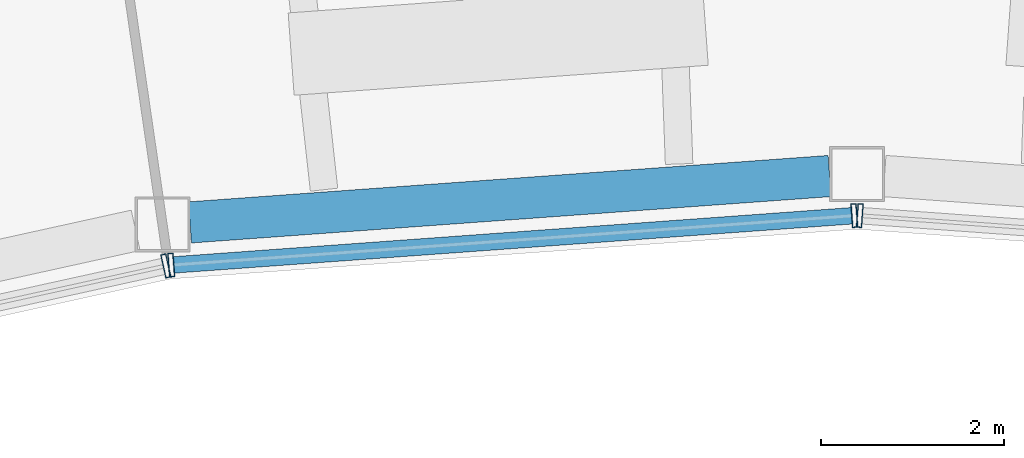
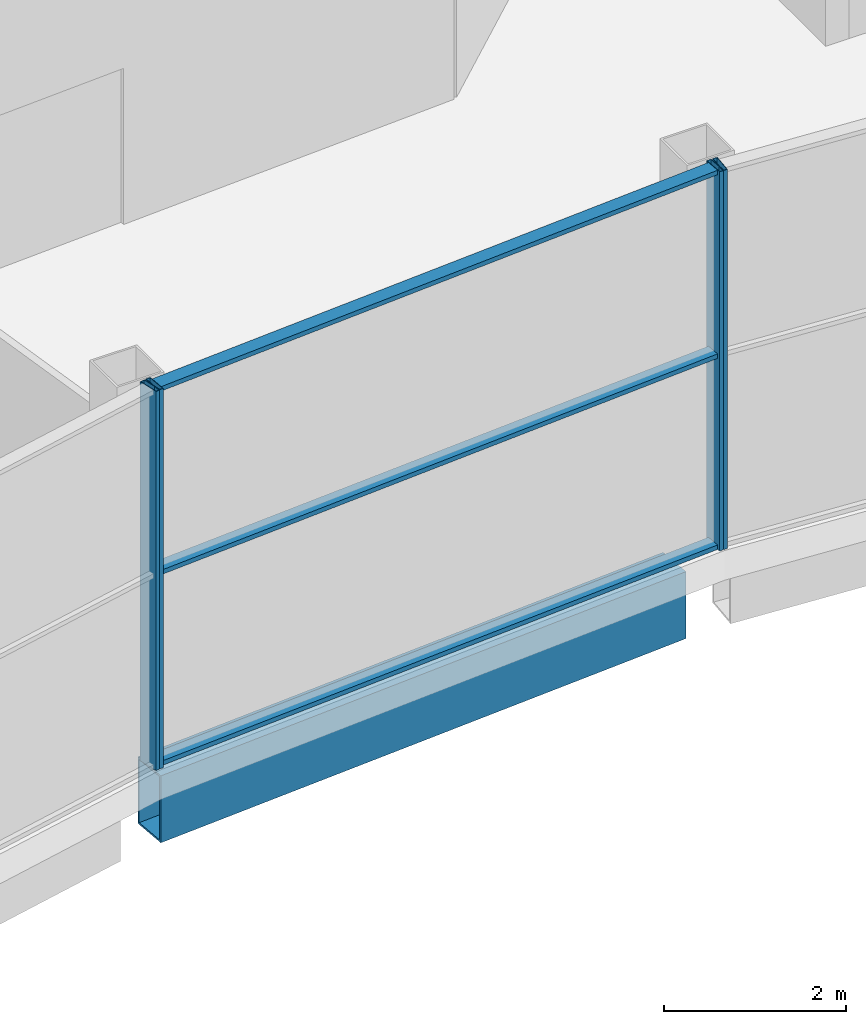
# One storey, part 13 of 43: 7 members, 1 beam, 3 elements without a shape of their own.
"""IFC4 building model written with IfcOpenShell, lengths in metres."""

from ifc_helpers import new_model, si_unit, direction, frame, origin, origin_2d, place, context, subcontext, project, spatial, hollow_rectangle, extrude, material, layer, layer_set, material_profile, profile_set, type_object, element, aggregate, save


model = new_model("IFC4")

# Units and contexts
model_context = context("Model", 3, precision=1e-05, world=origin(), true_north=direction((0.0, 1.0)))
body_context = subcontext(model_context, "Body", "Model", "MODEL_VIEW")
ifc_project = project(units=[si_unit("LENGTHUNIT", "METRE"), si_unit("AREAUNIT", "SQUARE_METRE"), si_unit("VOLUMEUNIT", "CUBIC_METRE"), si_unit("PLANEANGLEUNIT", "RADIAN"), si_unit("MASSUNIT", "GRAM", prefix="KILO")], contexts=[model_context])

# Site, building, storey
site_placement = place(None, origin())
site = spatial("IfcSite", under=ifc_project, at=site_placement, CompositionType="ELEMENT")
building_placement = place(site_placement, origin())
building = spatial("IfcBuilding", under=site, at=building_placement, Name="Tuul Gate Civic Tower", CompositionType="ELEMENT")
storey_placement = place(building_placement, frame((0.0, 0.0, 349.10009765625)))
storey = spatial("IfcBuildingStorey", under=building, at=storey_placement, Name="Observation level 1", CompositionType="ELEMENT", Elevation=349.10009765625)

# Curtain wall, member
ifc_material_1 = material(Name="Stainless steel", Category="steel")
ifc_layer = layer(ifc_material_1, 0.199951171875)
ifc_layer_set = layer_set([ifc_layer], Name="Stainless steel")
curtain_wall_type = type_object("IfcCurtainWallType", Name="Curtain wall CW4", PredefinedType="NOTDEFINED", material=ifc_layer_set)
curtain_wall_1_placement = place(storey_placement, origin())
curtain_wall_1 = element("IfcCurtainWall", 1, at=curtain_wall_1_placement, inside=storey, type_object=curtain_wall_type, Name="Curtain wall CW4", PredefinedType="NOTDEFINED")
ifc_material_2 = material(Name="Stainless steel", Category="steel")
ifc_material_profile_1 = material_profile(ifc_material_2, hollow_rectangle(XDim=0.260009765625, YDim=0.06005859375, WallThickness=0.006103515625, at=origin_2d()), Name="CW4 mullion")
ifc_profile_set_1 = profile_set([ifc_material_profile_1], Name="Stainless steel")
member_type_1 = type_object("IfcMemberType", Name="CW4 mullion", PredefinedType="MULLION", material=ifc_profile_set_1)
member_1_placement = place(storey_placement, frame((-5.34423828125, -8.529541015625, 0.0), z_axis=(0.0, 0.0, 1.0), x_axis=(-0.215241961183, 0.976560749849, 0.0)))
member_1 = element("IfcMember", 2, at=member_1_placement, type_object=member_type_1, Name="Mullion", PredefinedType="MULLION", context=body_context, shape_type="SweptSolid", body=[
    extrude(hollow_rectangle(XDim=0.260009765625, YDim=0.06005859375, WallThickness=0.006103515625, at=origin_2d()), origin(), (0.0, 0.0, 1.0), 5.099853515625),
])
aggregate(curtain_wall_1, [member_1])

# Curtain wall, members
curtain_wall_2_placement = place(storey_placement, origin())
curtain_wall_2 = element("IfcCurtainWall", 3, at=curtain_wall_2_placement, inside=storey, type_object=curtain_wall_type, Name="Curtain wall CW4", PredefinedType="NOTDEFINED")
member_2_placement = place(storey_placement, frame((-5.28515625, -8.520751953125, 0.0), z_axis=(0.0, 0.0, 1.0), x_axis=(-0.072276176045, 0.997384657179, 0.0)))
member_2 = element("IfcMember", 4, at=member_2_placement, type_object=member_type_1, Name="Mullion", PredefinedType="MULLION", context=body_context, shape_type="SweptSolid", body=[
    extrude(hollow_rectangle(XDim=0.260009765625, YDim=0.06005859375, WallThickness=0.006103515625, at=origin_2d()), origin(), (0.0, 0.0, 1.0), 5.099853515625),
])
member_3_placement = place(storey_placement, frame((2.162109375, -7.981201171875, 0.0), z_axis=(0.0, 0.0, 1.0), x_axis=(-0.072276176045, 0.997384657179, 0.0)))
member_3 = element("IfcMember", 5, at=member_3_placement, type_object=member_type_1, Name="Mullion", PredefinedType="MULLION", context=body_context, shape_type="SweptSolid", body=[
    extrude(hollow_rectangle(XDim=0.260009765625, YDim=0.06005859375, WallThickness=0.006103515625, at=origin_2d()), origin(), (0.0, 0.0, 1.0), 5.099853515625),
])

# Curtain wall, member
curtain_wall_3_placement = place(storey_placement, origin())
curtain_wall_3 = element("IfcCurtainWall", 6, at=curtain_wall_3_placement, inside=storey, type_object=curtain_wall_type, Name="Curtain wall CW4", PredefinedType="NOTDEFINED")
member_4_placement = place(storey_placement, frame((2.221923828125, -7.981201171875, 0.0), z_axis=(0.0, 0.0, 1.0), x_axis=(0.072276176045, 0.997384657179, 0.0)))
member_4 = element("IfcMember", 7, at=member_4_placement, type_object=member_type_1, Name="Mullion", PredefinedType="MULLION", context=body_context, shape_type="SweptSolid", body=[
    extrude(hollow_rectangle(XDim=0.260009765625, YDim=0.06005859375, WallThickness=0.006103515625, at=origin_2d()), origin(), (0.0, 0.0, 1.0), 5.099853515625),
])
aggregate(curtain_wall_3, [member_4])

# Member
ifc_material_3 = material(Name="Stainless steel", Category="steel")
ifc_material_profile_2 = material_profile(ifc_material_3, hollow_rectangle(XDim=0.179931640625, YDim=0.06005859375, WallThickness=0.006103515625, at=origin_2d()), Name="CW4 transom")
ifc_profile_set_2 = profile_set([ifc_material_profile_2], Name="Stainless steel")
member_type_2 = type_object("IfcMemberType", Name="CW4 transom", PredefinedType="USERDEFINED", material=ifc_profile_set_2)
member_5_placement = place(storey_placement, frame((-5.255126953125, -8.5185546875, 0.02978515625), z_axis=(0.997386242121, 0.072254301102, 0.0), x_axis=(-0.072254301102, 0.997386242121, 0.0)))
member_5 = element("IfcMember", 8, at=member_5_placement, type_object=member_type_2, Name="Transom", ObjectType="TRANSOM", PredefinedType="USERDEFINED", context=body_context, shape_type="SweptSolid", body=[
    extrude(hollow_rectangle(XDim=0.179931640625, YDim=0.06005859375, WallThickness=0.006103515625, at=origin_2d()), origin(), (0.0, 0.0, 1.0), 7.406494140625),
])

member_6_placement = place(storey_placement, frame((-5.255126953125, -8.5185546875, 2.599853515625), z_axis=(0.997386242121, 0.072254301102, 0.0), x_axis=(-0.072254301102, 0.997386242121, 0.0)))
member_6 = element("IfcMember", 9, at=member_6_placement, type_object=member_type_2, Name="Transom", ObjectType="TRANSOM", PredefinedType="USERDEFINED", context=body_context, shape_type="SweptSolid", body=[
    extrude(hollow_rectangle(XDim=0.179931640625, YDim=0.06005859375, WallThickness=0.006103515625, at=origin_2d()), origin(), (0.0, 0.0, 1.0), 7.406494140625),
])

member_7_placement = place(storey_placement, frame((-5.255126953125, -8.5185546875, 5.06982421875), z_axis=(0.997386242121, 0.072254301102, 0.0), x_axis=(-0.072254301102, 0.997386242121, 0.0)))
member_7 = element("IfcMember", 10, at=member_7_placement, type_object=member_type_2, Name="Transom", ObjectType="TRANSOM", PredefinedType="USERDEFINED", context=body_context, shape_type="SweptSolid", body=[
    extrude(hollow_rectangle(XDim=0.179931640625, YDim=0.06005859375, WallThickness=0.006103515625, at=origin_2d()), origin(), (0.0, 0.0, 1.0), 7.406494140625),
])

aggregate(curtain_wall_2, [member_2, member_3, member_5, member_6, member_7])

# Beam
ifc_material_4 = material(Name="Steel S355", Category="steel")
ifc_material_profile_3 = material_profile(ifc_material_4, hollow_rectangle(XDim=0.449951171875, YDim=0.89990234375, WallThickness=0.02490234375, at=origin_2d()), Name="BOX900x450x25")
ifc_profile_set_3 = profile_set([ifc_material_profile_3], Name="Steel S355")
beam_type = type_object("IfcBeamType", Name="STR-SPANDREL BEAM-BOX900x450x25", PredefinedType="BEAM", material=ifc_profile_set_3)
beam_placement = place(storey_placement, frame((-5.080810546875, -8.055419921875, -0.85009765625), z_axis=(0.99738191337, 0.072314029638, 0.0), x_axis=(-0.072314029638, 0.99738191337, 0.0)))
element("IfcBeam", 11, at=beam_placement, inside=storey, type_object=beam_type, Name="Spandrel beam", PredefinedType="BEAM", context=body_context, shape_type="SweptSolid", body=[
    extrude(hollow_rectangle(XDim=0.449951171875, YDim=0.89990234375, WallThickness=0.02490234375, at=origin_2d()), origin(), (0.0, 0.0, 1.0), 6.991943359375),
])

save(model, "model.ifc")
